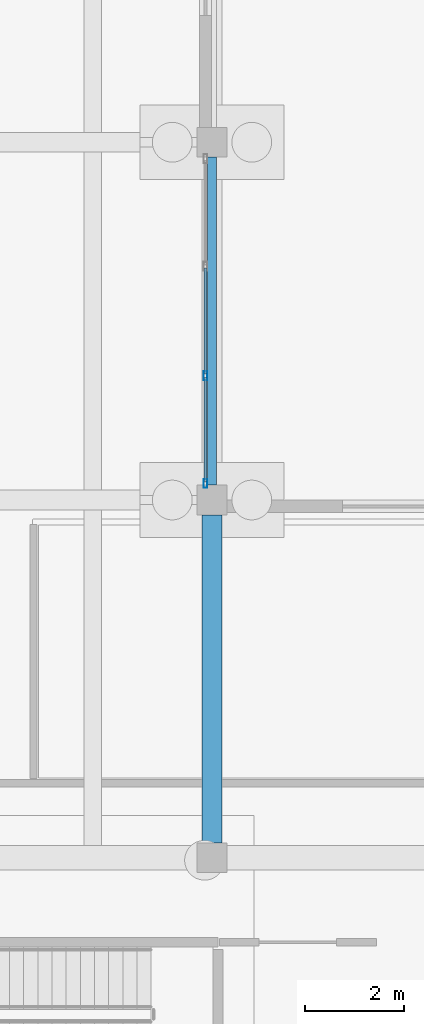
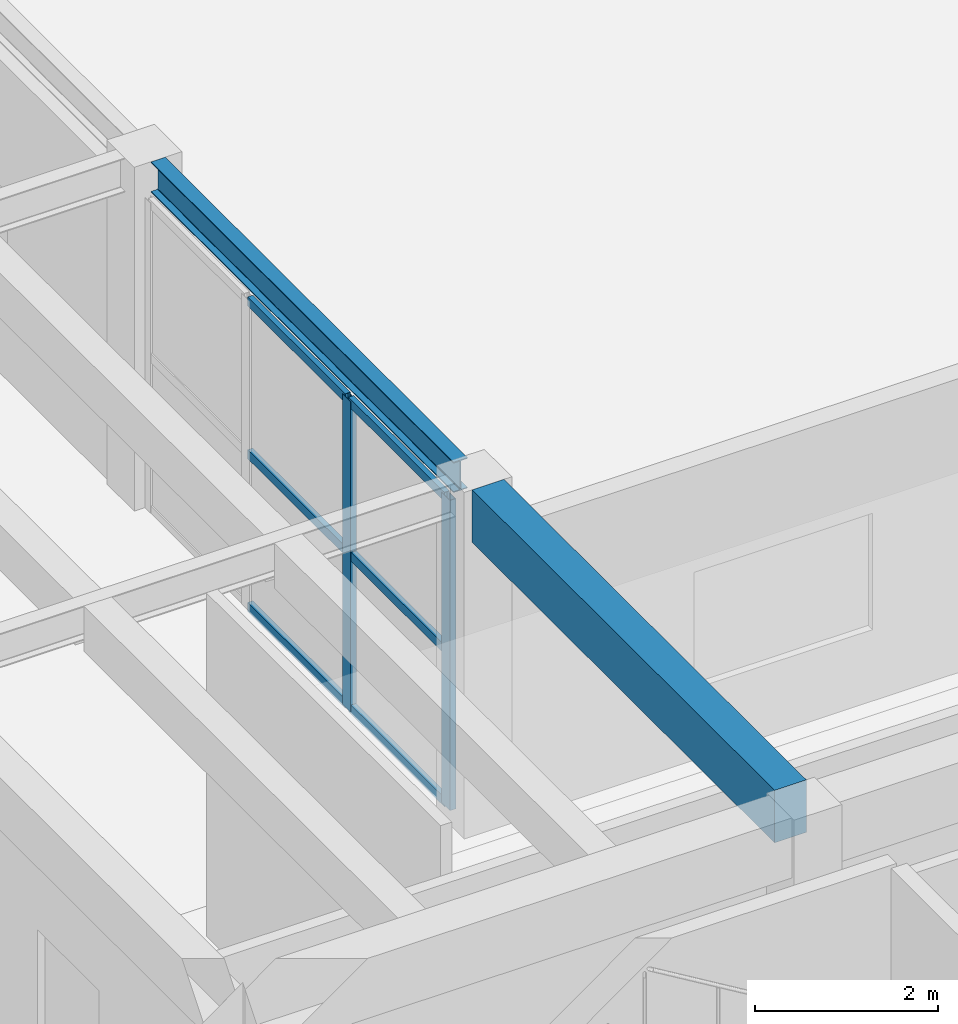
# One storey, part 36 of 155: 8 members, 2 beams, 1 element without a shape of its own.
"""IFC4 building model written with IfcOpenShell, lengths in metres."""

from ifc_helpers import new_model, si_unit, direction, frame, origin, origin_2d, place, context, subcontext, project, spatial, rectangle, hollow_rectangle, i_section, extrude, material, material_profile, profile_set, type_object, element, aggregate, save


model = new_model("IFC4")

# Units and contexts
model_context = context("Model", 3, precision=1e-05, world=origin(), true_north=direction((0.0, 1.0)))
body_context = subcontext(model_context, "Body", "Model", "MODEL_VIEW")
ifc_project = project(units=[si_unit("LENGTHUNIT", "METRE"), si_unit("AREAUNIT", "SQUARE_METRE"), si_unit("VOLUMEUNIT", "CUBIC_METRE"), si_unit("PLANEANGLEUNIT", "RADIAN"), si_unit("MASSUNIT", "GRAM", prefix="KILO")], contexts=[model_context])

# Site, building, storey
site_placement = place(None, origin())
site = spatial("IfcSite", under=ifc_project, at=site_placement, CompositionType="ELEMENT")
building_placement = place(site_placement, origin())
building = spatial("IfcBuilding", under=site, at=building_placement, Name="Bramvelor Terrace Health Centre", CompositionType="ELEMENT")
storey_placement = place(building_placement, origin())
storey = spatial("IfcBuildingStorey", under=building, at=storey_placement, Name="L01", CompositionType="ELEMENT", Elevation=0.0)

# Beams
ifc_material_1 = material(Name="Concrete C40/50", Category="concrete")
ifc_material_profile_1 = material_profile(ifc_material_1, rectangle(XDim=0.39990234375, YDim=0.699951171875, at=origin_2d()), Name="RC 400x700")
ifc_profile_set_1 = profile_set([ifc_material_profile_1], Name="Concrete C40/50")
beam_type_1 = type_object("IfcBeamType", Name="BM-RC-G700", PredefinedType="BEAM", material=ifc_profile_set_1)
beam_1_placement = place(storey_placement, frame((64.800048828125, 7.5, 4.264892578125), z_axis=(0.0, 1.0, 0.0), x_axis=(-1.0, 0.0, 0.0)))
element("IfcBeam", 1, at=beam_1_placement, inside=storey, type_object=beam_type_1, Name="L01 Floor Girder", PredefinedType="BEAM", context=body_context, shape_type="SweptSolid", body=[
    extrude(rectangle(XDim=0.39990234375, YDim=0.699951171875, at=origin_2d()), origin(), (0.0, 0.0, 1.0), 6.60009765625),
])
ifc_material_2 = material(Name="Steel S355J2", Category="steel")
ifc_material_profile_2 = material_profile(ifc_material_2, i_section(OverallWidth=0.177978515625, OverallDepth=0.406494140625, WebThickness=0.0078125, FlangeThickness=0.0126953125, FilletRadius=0.01025390625, at=origin_2d()), Name="UB 406x178x60")
ifc_profile_set_2 = profile_set([ifc_material_profile_2], Name="Steel S355J2")
beam_type_2 = type_object("IfcBeamType", Name="BM-STL-UB406", PredefinedType="BEAM", material=ifc_profile_set_2)
beam_2_placement = place(storey_placement, frame((64.800048828125, 14.699951171875, 4.376708984375), z_axis=(0.0, 1.0, 0.0), x_axis=(-1.0, 0.0, 0.0)))
element("IfcBeam", 2, at=beam_2_placement, inside=storey, type_object=beam_type_2, Name="L01 Floor Girder", PredefinedType="BEAM", context=body_context, shape_type="SweptSolid", body=[
    extrude(i_section(OverallWidth=0.177978515625, OverallDepth=0.406494140625, WebThickness=0.0078125, FlangeThickness=0.0126953125, FilletRadius=0.01025390625, at=origin_2d()), origin(), (0.0, 0.0, 1.0), 6.60009765625),
])

# Curtain wall, members
ifc_material_3 = material(Name="Anodized aluminium and double low-E glass", Category="aluminium")
curtain_wall_type = type_object("IfcCurtainWallType", Name="CW-SYS-07", PredefinedType="NOTDEFINED", material=ifc_material_3)
curtain_wall_placement = place(storey_placement, origin())
curtain_wall = element("IfcCurtainWall", 3, at=curtain_wall_placement, inside=storey, type_object=curtain_wall_type, Name="L01 Unitized Curtain Wall 52", PredefinedType="NOTDEFINED")
ifc_material_4 = material(Name="Anodized aluminium 6063-T6", Category="aluminium")
ifc_material_profile_3 = material_profile(ifc_material_4, hollow_rectangle(XDim=0.074951171875, YDim=0.179931640625, WallThickness=0.00341796875, at=origin_2d()), Name="ALU-MUL 75x180x3.5")
ifc_profile_set_3 = profile_set([ifc_material_profile_3], Name="Anodized aluminium 6063-T6")
member_type_1 = type_object("IfcMemberType", Name="CW-MUL-65x180", PredefinedType="MULLION", material=ifc_profile_set_3)
member_1_placement = place(storey_placement, frame((64.669921875, 16.8984375, 0.0), z_axis=(0.0, 0.0, 1.0), x_axis=(1.0, 0.0, 0.0)))
member_1 = element("IfcMember", 4, at=member_1_placement, type_object=member_type_1, Name="CW-07 mullion 3", PredefinedType="MULLION", context=body_context, shape_type="SweptSolid", body=[
    extrude(hollow_rectangle(XDim=0.074951171875, YDim=0.179931640625, WallThickness=0.00341796875, at=origin_2d()), origin(), (0.0, 0.0, 1.0), 4.134033203125),
])
member_2_placement = place(storey_placement, frame((64.669921875, 14.732421875, 0.0), z_axis=(0.0, 0.0, 1.0), x_axis=(1.0, 0.0, 0.0)))
member_2 = element("IfcMember", 5, at=member_2_placement, type_object=member_type_1, Name="CW-07 mullion 4", PredefinedType="MULLION", context=body_context, shape_type="SweptSolid", body=[
    extrude(hollow_rectangle(XDim=0.074951171875, YDim=0.179931640625, WallThickness=0.00341796875, at=origin_2d()), origin(), (0.0, 0.0, 1.0), 4.134033203125),
])
ifc_material_5 = material(Name="Anodized aluminium 6063-T6", Category="aluminium")
ifc_material_profile_4 = material_profile(ifc_material_5, hollow_rectangle(XDim=0.06494140625, YDim=0.1201171875, WallThickness=0.0029296875, at=origin_2d()), Name="ALU-TRN 65x120x3.0")
ifc_profile_set_4 = profile_set([ifc_material_profile_4], Name="Anodized aluminium 6063-T6")
member_type_2 = type_object("IfcMemberType", Name="CW-TRN-65x150", PredefinedType="USERDEFINED", material=ifc_profile_set_4)
member_3_placement = place(storey_placement, frame((64.669921875, 19.064208984375, 0.032470703125), z_axis=(0.0, -1.0, 0.0), x_axis=(1.0, 0.0, 0.0)))
member_3 = element("IfcMember", 6, at=member_3_placement, type_object=member_type_2, Name="CW-07 transom 2.1", ObjectType="TRANSOM", PredefinedType="USERDEFINED", context=body_context, shape_type="SweptSolid", body=[
    extrude(hollow_rectangle(XDim=0.06494140625, YDim=0.1201171875, WallThickness=0.0029296875, at=origin_2d()), origin(), (0.0, 0.0, 1.0), 2.12841796875),
])
member_4_placement = place(storey_placement, frame((64.669921875, 19.064208984375, 2.06689453125), z_axis=(0.0, -1.0, 0.0), x_axis=(1.0, 0.0, 0.0)))
member_4 = element("IfcMember", 7, at=member_4_placement, type_object=member_type_2, Name="CW-07 transom 2.2", ObjectType="TRANSOM", PredefinedType="USERDEFINED", context=body_context, shape_type="SweptSolid", body=[
    extrude(hollow_rectangle(XDim=0.06494140625, YDim=0.1201171875, WallThickness=0.0029296875, at=origin_2d()), origin(), (0.0, 0.0, 1.0), 2.12841796875),
])
member_5_placement = place(storey_placement, frame((64.669921875, 19.064208984375, 4.1015625), z_axis=(0.0, -1.0, 0.0), x_axis=(1.0, 0.0, 0.0)))
member_5 = element("IfcMember", 8, at=member_5_placement, type_object=member_type_2, Name="CW-07 transom 2.3", ObjectType="TRANSOM", PredefinedType="USERDEFINED", context=body_context, shape_type="SweptSolid", body=[
    extrude(hollow_rectangle(XDim=0.06494140625, YDim=0.1201171875, WallThickness=0.0029296875, at=origin_2d()), origin(), (0.0, 0.0, 1.0), 2.12841796875),
])
member_6_placement = place(storey_placement, frame((64.669921875, 16.86083984375, 0.032470703125), z_axis=(0.0, -1.0, 0.0), x_axis=(1.0, 0.0, 0.0)))
member_6 = element("IfcMember", 9, at=member_6_placement, type_object=member_type_2, Name="CW-07 transom 3.1", ObjectType="TRANSOM", PredefinedType="USERDEFINED", context=body_context, shape_type="SweptSolid", body=[
    extrude(hollow_rectangle(XDim=0.06494140625, YDim=0.1201171875, WallThickness=0.0029296875, at=origin_2d()), origin(), (0.0, 0.0, 1.0), 2.0908203125),
])
member_7_placement = place(storey_placement, frame((64.669921875, 16.86083984375, 2.06689453125), z_axis=(0.0, -1.0, 0.0), x_axis=(1.0, 0.0, 0.0)))
member_7 = element("IfcMember", 10, at=member_7_placement, type_object=member_type_2, Name="CW-07 transom 3.2", ObjectType="TRANSOM", PredefinedType="USERDEFINED", context=body_context, shape_type="SweptSolid", body=[
    extrude(hollow_rectangle(XDim=0.06494140625, YDim=0.1201171875, WallThickness=0.0029296875, at=origin_2d()), origin(), (0.0, 0.0, 1.0), 2.0908203125),
])
member_8_placement = place(storey_placement, frame((64.669921875, 16.86083984375, 4.1015625), z_axis=(0.0, -1.0, 0.0), x_axis=(1.0, 0.0, 0.0)))
member_8 = element("IfcMember", 11, at=member_8_placement, type_object=member_type_2, Name="CW-07 transom 3.3", ObjectType="TRANSOM", PredefinedType="USERDEFINED", context=body_context, shape_type="SweptSolid", body=[
    extrude(hollow_rectangle(XDim=0.06494140625, YDim=0.1201171875, WallThickness=0.0029296875, at=origin_2d()), origin(), (0.0, 0.0, 1.0), 2.0908203125),
])
aggregate(curtain_wall, [member_1, member_2, member_3, member_4, member_5, member_6, member_7, member_8])

save(model, "model.ifc")
